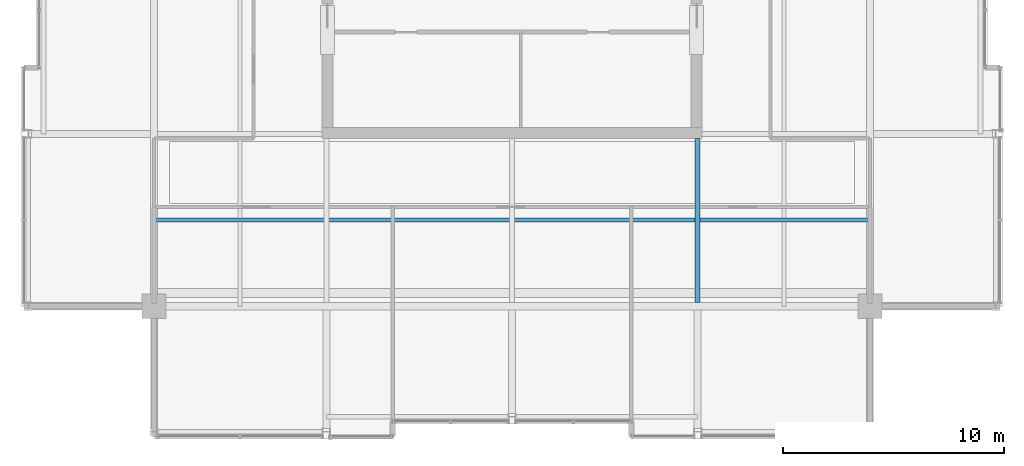
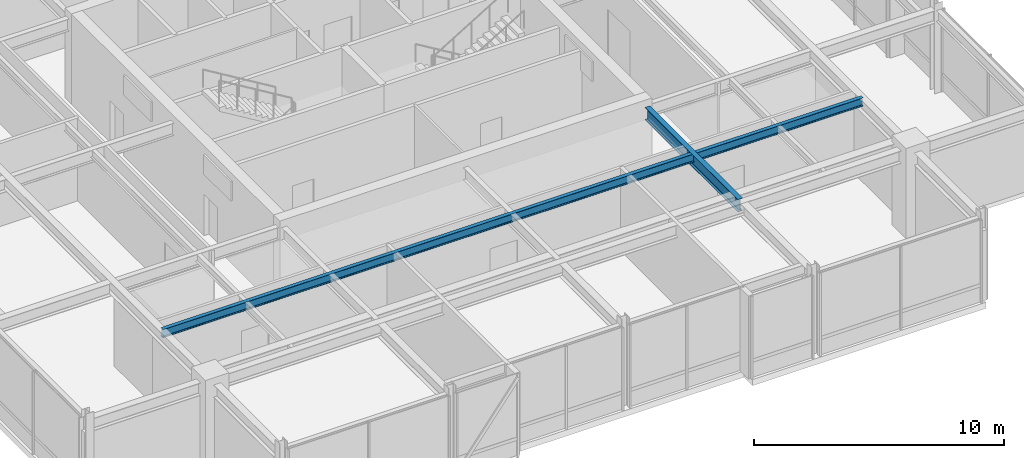
# One storey, part 11 of 33: 2 beams.
"""IFC4 building model written with IfcOpenShell, lengths in metres."""

from ifc_helpers import new_model, si_unit, direction, frame, origin, origin_2d, place, context, subcontext, project, spatial, i_section, extrude, material, material_profile, profile_set, type_object, element, save


model = new_model("IFC4")

# Units and contexts
model_context = context("Model", 3, precision=1e-05, world=origin(), true_north=direction((0.0, 1.0)))
body_context = subcontext(model_context, "Body", "Model", "MODEL_VIEW")
ifc_project = project(units=[si_unit("LENGTHUNIT", "METRE"), si_unit("AREAUNIT", "SQUARE_METRE"), si_unit("VOLUMEUNIT", "CUBIC_METRE"), si_unit("PLANEANGLEUNIT", "RADIAN"), si_unit("MASSUNIT", "GRAM", prefix="KILO")], contexts=[model_context])

# Site, building, storey
site_placement = place(None, origin())
site = spatial("IfcSite", under=ifc_project, at=site_placement, CompositionType="ELEMENT")
building_placement = place(site_placement, origin())
building = spatial("IfcBuilding", under=site, at=building_placement, Name="Drelvath Grand Hotel", CompositionType="ELEMENT")
storey_placement = place(building_placement, frame((0.0, 0.0, 298.60009765625)))
storey = spatial("IfcBuildingStorey", under=building, at=storey_placement, Name="L78", CompositionType="ELEMENT", Elevation=298.60009765625)

# Beams
ifc_material = material(Name="Steel ASTM A992 Gr 50", Category="steel")
ifc_material_profile_1 = material_profile(ifc_material, i_section(OverallWidth=0.177734375, OverallDepth=0.40673828125, WebThickness=0.0078125, FlangeThickness=0.0126953125, FilletRadius=0.014892578125, at=origin_2d()), Name="W16X40")
ifc_profile_set_1 = profile_set([ifc_material_profile_1], Name="Steel ASTM A992 Gr 50")
beam_type_1 = type_object("IfcBeamType", Name="Composite Floor Joist W16X40", PredefinedType="JOIST", material=ifc_profile_set_1)
beam_1_placement = place(storey_placement, frame((-16.199951171875, 14.699951171875, 3.846435546875), z_axis=(1.0, 0.0, 0.0), x_axis=(0.0, 1.0, 0.0)))
element("IfcBeam", 1, at=beam_1_placement, inside=storey, type_object=beam_type_1, Name="L78 Floor Joist J1", PredefinedType="JOIST", context=body_context, shape_type="SweptSolid", body=[
    extrude(i_section(OverallWidth=0.177734375, OverallDepth=0.40673828125, WebThickness=0.0078125, FlangeThickness=0.0126953125, FilletRadius=0.014892578125, at=origin_2d()), origin(), (0.0, 0.0, 1.0), 32.39990234375),
])
ifc_material_profile_2 = material_profile(ifc_material, i_section(OverallWidth=0.228271484375, OverallDepth=0.607666015625, WebThickness=0.01123046875, FlangeThickness=0.017333984375, FilletRadius=0.02001953125, at=origin_2d()), Name="W24X76")
ifc_profile_set_2 = profile_set([ifc_material_profile_2], Name="Steel ASTM A992 Gr 50")
beam_type_2 = type_object("IfcBeamType", Name="Primary Floor Girder W24X76", PredefinedType="BEAM", material=ifc_profile_set_2)
beam_2_placement = place(storey_placement, frame((8.39990234375, 10.9619140625, 3.74609375), z_axis=(0.0, 1.0, 0.0), x_axis=(-1.0, 0.0, 0.0)))
element("IfcBeam", 2, at=beam_2_placement, inside=storey, type_object=beam_type_2, Name="L78 South Core Tie 6", PredefinedType="BEAM", context=body_context, shape_type="SweptSolid", body=[
    extrude(i_section(OverallWidth=0.228271484375, OverallDepth=0.607666015625, WebThickness=0.01123046875, FlangeThickness=0.017333984375, FilletRadius=0.02001953125, at=origin_2d()), origin(), (0.0, 0.0, 1.0), 7.43798828125),
])

save(model, "model.ifc")
